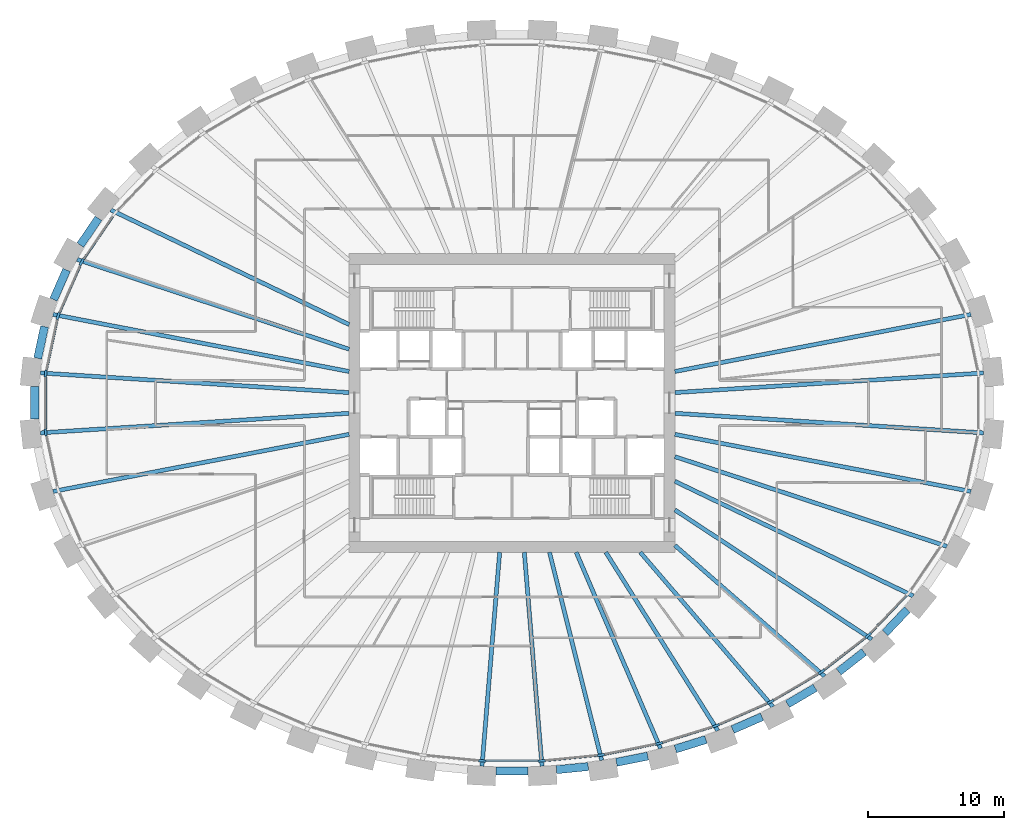
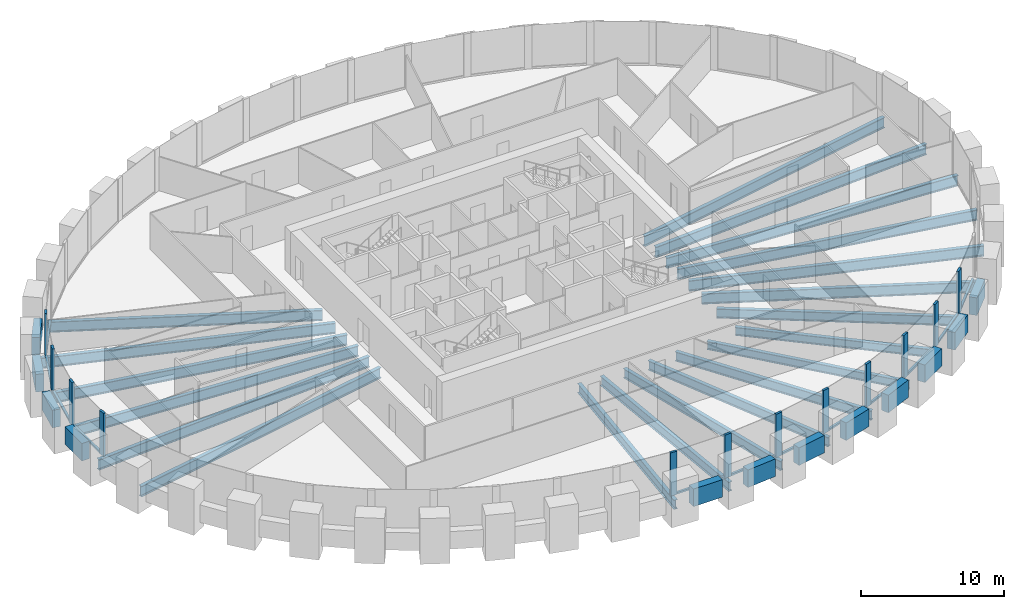
# One storey, part 2 of 11: 32 beams, 24 members, 1 element without a shape of its own.
"""IFC4 building model written with IfcOpenShell, lengths in metres."""

from ifc_helpers import new_model, si_unit, direction, frame, origin, origin_2d, place, context, subcontext, project, spatial, rectangle, i_section, extrude, source, transform, mapped, material, material_profile, profile_set, type_object, element, aggregate, save


model = new_model("IFC4")

# Units and contexts
model_context = context("Model", 3, precision=1e-05, world=origin(), true_north=direction((0.0, 1.0)))
body_context = subcontext(model_context, "Body", "Model", "MODEL_VIEW")
ifc_project = project(units=[si_unit("LENGTHUNIT", "METRE"), si_unit("AREAUNIT", "SQUARE_METRE"), si_unit("VOLUMEUNIT", "CUBIC_METRE"), si_unit("PLANEANGLEUNIT", "RADIAN"), si_unit("MASSUNIT", "GRAM", prefix="KILO")], contexts=[model_context])

# Site, building, storey
site_placement = place(None, origin())
site = spatial("IfcSite", under=ifc_project, at=site_placement, CompositionType="ELEMENT")
building_placement = place(site_placement, origin())
building = spatial("IfcBuilding", under=site, at=building_placement, Name="Embergate Tower", CompositionType="ELEMENT")
storey_placement = place(building_placement, frame((0.0, 0.0, 211.199951171875)))
storey = spatial("IfcBuildingStorey", under=building, at=storey_placement, Name="L48", CompositionType="ELEMENT", Elevation=211.199951171875)

# Beams
ifc_material_1 = material(Name="Concrete C60", Category="concrete")
ifc_material_profile_1 = material_profile(ifc_material_1, rectangle(XDim=0.60009765625, YDim=1.5, at=origin_2d()), Name="RC 600x1500")
ifc_profile_set_1 = profile_set([ifc_material_profile_1], Name="Concrete C60")
beam_type_1 = type_object("IfcBeamType", Name="Spandrel beam RC 600x1500 C60", PredefinedType="BEAM", material=ifc_profile_set_1)
shared_shape_1 = source(origin(), body_context, "Body", "SweptSolid", [
    extrude(rectangle(XDim=0.60009765625, YDim=1.5, at=origin_2d()), origin(), (0.0, 0.0, 1.0), 2.3896484375),
])
beam_1_placement = place(storey_placement, frame((-34.43603515625, 5.62109375, 0.0), z_axis=(-0.21045693854, -0.977603128586, 0.0), x_axis=(0.977603128586, -0.21045693854, 0.0)))
element("IfcBeam", 1, at=beam_1_placement, inside=storey, type_object=beam_type_1, Name="SPN-L48-20", PredefinedType="BEAM", context=body_context, shape_type="MappedRepresentation", body=[
    mapped(shared_shape_1, transform((0.0, 0.0, 0.0))),
])
shared_shape_2 = source(origin(), body_context, "Body", "SweptSolid", [
    extrude(rectangle(XDim=0.60009765625, YDim=1.5, at=origin_2d()), origin(), (0.0, 0.0, 1.0), 2.3837890625),
])
beam_2_placement = place(storey_placement, frame((-32.81298828125, 9.7958984375, 0.0), z_axis=(-0.401876968148, -0.915693672836, 0.0), x_axis=(0.915693672836, -0.401876968148, 0.0)))
element("IfcBeam", 2, at=beam_2_placement, inside=storey, type_object=beam_type_1, Name="SPN-L48-19", PredefinedType="BEAM", context=body_context, shape_type="MappedRepresentation", body=[
    mapped(shared_shape_2, transform((0.0, 0.0, 0.0))),
])
shared_shape_3 = source(origin(), body_context, "Body", "SweptSolid", [
    extrude(rectangle(XDim=0.60009765625, YDim=1.5, at=origin_2d()), origin(), (0.0, 0.0, 1.0), 2.379150390625),
])
beam_3_placement = place(storey_placement, frame((-30.458984375, 13.60009765625, 0.0), z_axis=(-0.562467199194, -0.826819599327, 0.0), x_axis=(0.826819599327, -0.562467199194, 0.0)))
element("IfcBeam", 3, at=beam_3_placement, inside=storey, type_object=beam_type_1, Name="SPN-L48-18", PredefinedType="BEAM", context=body_context, shape_type="MappedRepresentation", body=[
    mapped(shared_shape_3, transform((0.0, 0.0, 0.0))),
])
shared_shape_4 = source(origin(), body_context, "Body", "SweptSolid", [
    extrude(rectangle(XDim=0.60009765625, YDim=1.5, at=origin_2d()), origin(), (0.0, 0.0, 1.0), 2.370849609375),
])
beam_4_placement = place(storey_placement, frame((27.488037109375, -16.93701171875, 0.0), z_axis=(0.690017631866, 0.723792558482, 0.0), x_axis=(-0.723792558482, 0.690017631866, 0.0)))
element("IfcBeam", 4, at=beam_4_placement, inside=storey, type_object=beam_type_1, Name="SPN-L48-39", PredefinedType="BEAM", context=body_context, shape_type="MappedRepresentation", body=[
    mapped(shared_shape_4, transform((0.0, 0.0, 0.0))),
])
shared_shape_5 = source(origin(), body_context, "Body", "SweptSolid", [
    extrude(rectangle(XDim=0.60009765625, YDim=1.5, at=origin_2d()), origin(), (0.0, 0.0, 1.0), 2.366943359375),
])
beam_5_placement = place(storey_placement, frame((24.06591796875, -19.802001953125, 0.0), z_axis=(0.788379233054, 0.615189552, 0.0), x_axis=(-0.615189552, 0.788379233054, 0.0)))
element("IfcBeam", 5, at=beam_5_placement, inside=storey, type_object=beam_type_1, Name="SPN-L48-38", PredefinedType="BEAM", context=body_context, shape_type="MappedRepresentation", body=[
    mapped(shared_shape_5, transform((0.0, 0.0, 0.0))),
])
shared_shape_6 = source(origin(), body_context, "Body", "SweptSolid", [
    extrude(rectangle(XDim=0.60009765625, YDim=1.5, at=origin_2d()), origin(), (0.0, 0.0, 1.0), 2.36279296875),
])
beam_6_placement = place(storey_placement, frame((20.2919921875, -22.179931640625, 0.0), z_axis=(0.862170527893, 0.50661818052, 0.0), x_axis=(-0.50661818052, 0.862170527893, 0.0)))
element("IfcBeam", 6, at=beam_6_placement, inside=storey, type_object=beam_type_1, Name="SPN-L48-37", PredefinedType="BEAM", context=body_context, shape_type="MappedRepresentation", body=[
    mapped(shared_shape_6, transform((0.0, 0.0, 0.0))),
])
shared_shape_7 = source(origin(), body_context, "Body", "SweptSolid", [
    extrude(rectangle(XDim=0.60009765625, YDim=1.5, at=origin_2d()), origin(), (0.0, 0.0, 1.0), 2.357421875),
])
beam_7_placement = place(storey_placement, frame((16.2529296875, -24.06103515625, 0.0), z_axis=(0.91630938503, 0.400471111201, 0.0), x_axis=(-0.400471111201, 0.91630938503, 0.0)))
element("IfcBeam", 7, at=beam_7_placement, inside=storey, type_object=beam_type_1, Name="SPN-L48-36", PredefinedType="BEAM", context=body_context, shape_type="MappedRepresentation", body=[
    mapped(shared_shape_7, transform((0.0, 0.0, 0.0))),
])
shared_shape_8 = source(origin(), body_context, "Body", "SweptSolid", [
    extrude(rectangle(XDim=0.60009765625, YDim=1.5, at=origin_2d()), origin(), (0.0, 0.0, 1.0), 2.3564453125),
])
beam_8_placement = place(storey_placement, frame((12.035888671875, -25.49609375, 0.0), z_axis=(0.95483326256, 0.297142122073, 0.0), x_axis=(-0.297142122073, 0.95483326256, 0.0)))
element("IfcBeam", 8, at=beam_8_placement, inside=storey, type_object=beam_type_1, Name="SPN-L48-35", PredefinedType="BEAM", context=body_context, shape_type="MappedRepresentation", body=[
    mapped(shared_shape_8, transform((0.0, 0.0, 0.0))),
])
shared_shape_9 = source(origin(), body_context, "Body", "SweptSolid", [
    extrude(rectangle(XDim=0.60009765625, YDim=1.5, at=origin_2d()), origin(), (0.0, 0.0, 1.0), 2.353515625),
])
beam_9_placement = place(storey_placement, frame((7.693115234375, -26.47802734375, 0.0), z_axis=(0.980552738639, 0.196255768698, 0.0), x_axis=(-0.196255768698, 0.980552738639, 0.0)))
element("IfcBeam", 9, at=beam_9_placement, inside=storey, type_object=beam_type_1, Name="SPN-L48-34", PredefinedType="BEAM", context=body_context, shape_type="MappedRepresentation", body=[
    mapped(shared_shape_9, transform((0.0, 0.0, 0.0))),
])
shared_shape_10 = source(origin(), body_context, "Body", "SweptSolid", [
    extrude(rectangle(XDim=0.60009765625, YDim=1.5, at=origin_2d()), origin(), (0.0, 0.0, 1.0), 2.353271484375),
])
beam_10_placement = place(storey_placement, frame((3.27392578125, -27.01806640625, 0.0), z_axis=(0.99521330308, 0.097726564318, 0.0), x_axis=(-0.097726564318, 0.99521330308, 0.0)))
element("IfcBeam", 10, at=beam_10_placement, inside=storey, type_object=beam_type_1, Name="SPN-L48-33", PredefinedType="BEAM", context=body_context, shape_type="MappedRepresentation", body=[
    mapped(shared_shape_10, transform((0.0, 0.0, 0.0))),
])
shared_shape_11 = source(origin(), body_context, "Body", "SweptSolid", [
    extrude(rectangle(XDim=0.60009765625, YDim=1.5, at=origin_2d()), origin(), (0.0, 0.0, 1.0), 2.35205078125),
])
beam_11_placement = place(storey_placement, frame((-1.176025390625, -27.12109375, 0.0), z_axis=(1.0, 0.0, 0.0), x_axis=(0.0, 1.0, 0.0)))
element("IfcBeam", 11, at=beam_11_placement, inside=storey, type_object=beam_type_1, Name="SPN-L48-32", PredefinedType="BEAM", context=body_context, shape_type="MappedRepresentation", body=[
    mapped(shared_shape_11, transform((0.0, 0.0, 0.0))),
])
shared_shape_12 = source(origin(), body_context, "Body", "SweptSolid", [
    extrude(rectangle(XDim=0.60009765625, YDim=1.5, at=origin_2d()), origin(), (0.0, 0.0, 1.0), 2.39208984375),
])
beam_12_placement = place(storey_placement, frame((-35.160888671875, 1.196044921875, 0.0), z_axis=(0.0, -1.0, 0.0), x_axis=(1.0, 0.0, 0.0)))
element("IfcBeam", 12, at=beam_12_placement, inside=storey, type_object=beam_type_1, Name="SPN-L48-21", PredefinedType="BEAM", context=body_context, shape_type="MappedRepresentation", body=[
    mapped(shared_shape_12, transform((0.0, 0.0, 0.0))),
])
ifc_material_2 = material(Name="Steel Q355B", Category="steel")
ifc_material_profile_2 = material_profile(ifc_material_2, i_section(OverallWidth=0.300048828125, OverallDepth=0.89990234375, WebThickness=0.01611328125, FlangeThickness=0.028076171875, FilletRadius=0.028076171875, at=origin_2d()), Name="HN 900x300x16x28")
ifc_profile_set_2 = profile_set([ifc_material_profile_2], Name="Steel Q355 grade B")
beam_type_2 = type_object("IfcBeamType", Name="Radial girder HN 900x300x16x28", PredefinedType="BEAM", material=ifc_profile_set_2)
shared_shape_13 = source(origin(), body_context, "Body", "SweptSolid", [
    extrude(i_section(OverallWidth=0.300048828125, OverallDepth=0.89990234375, WebThickness=0.01611328125, FlangeThickness=0.028076171875, FilletRadius=0.028076171875, at=origin_2d()), origin(), (0.0, 0.0, 1.0), 22.786865234375),
])
for number, where, z_axis, x_axis, name in (
    (13, (34.740966796875, 2.20703125, -0.64990234375), (-0.997987128135, -0.063416812258, 0.0), (0.063416812258, -0.997987128135, 0.0), "GIR-L48-00"),
    (14, (-34.740966796875, 2.20703125, -0.64990234375), (0.997987128135, -0.063416812258, 0.0), (0.063416812258, 0.997987128135, 0.0), "GIR-L48-21"),
    (15, (-34.740966796875, -2.20703125, -0.64990234375), (0.997987128135, 0.063416812258, 0.0), (-0.063416812258, 0.997987128135, 0.0), "GIR-L48-22"),
    (16, (34.740966796875, -2.20703125, -0.64990234375), (-0.997987128135, 0.063416812258, 0.0), (-0.063416812258, -0.997987128135, 0.0), "GIR-L48-43"),
):
    element("IfcBeam", number, at=place(storey_placement, frame(where, z_axis=z_axis, x_axis=x_axis)), inside=storey, type_object=beam_type_2, Name=name, PredefinedType="BEAM", context=body_context, shape_type="MappedRepresentation", body=[
        mapped(shared_shape_13, transform((0.0, 0.0, 0.0))),
    ])
shared_shape_14 = source(origin(), body_context, "Body", "SweptSolid", [
    extrude(i_section(OverallWidth=0.300048828125, OverallDepth=0.89990234375, WebThickness=0.01611328125, FlangeThickness=0.028076171875, FilletRadius=0.028076171875, at=origin_2d()), origin(), (0.0, 0.0, 1.0), 22.214111328125),
])
for number, where, z_axis, x_axis, name in (
    (17, (33.81201171875, 6.52197265625, -0.64990234375), (-0.981902666563, -0.189386254508, 0.0), (0.189386254508, -0.981902666563, 0.0), "GIR-L48-01"),
    (18, (-33.81201171875, 6.52197265625, -0.64990234375), (0.981902666563, -0.189386254508, 0.0), (0.189386254508, 0.981902666563, 0.0), "GIR-L48-20"),
    (19, (-33.81201171875, -6.52197265625, -0.64990234375), (0.981902666563, 0.189386254508, 0.0), (-0.189386254508, 0.981902666563, 0.0), "GIR-L48-23"),
    (20, (33.81201171875, -6.52197265625, -0.64990234375), (-0.981902666563, 0.189386254508, 0.0), (-0.189386254508, -0.981902666563, 0.0), "GIR-L48-42"),
):
    element("IfcBeam", number, at=place(storey_placement, frame(where, z_axis=z_axis, x_axis=x_axis)), inside=storey, type_object=beam_type_2, Name=name, PredefinedType="BEAM", context=body_context, shape_type="MappedRepresentation", body=[
        mapped(shared_shape_14, transform((0.0, 0.0, 0.0))),
    ])
shared_shape_15 = source(origin(), body_context, "Body", "SweptSolid", [
    extrude(i_section(OverallWidth=0.300048828125, OverallDepth=0.89990234375, WebThickness=0.01611328125, FlangeThickness=0.028076171875, FilletRadius=0.028076171875, at=origin_2d()), origin(), (0.0, 0.0, 1.0), 21.100341796875),
])
for number, where, z_axis, x_axis, name in (
    (21, (-32.0390625, 10.56591796875, -0.64990234375), (0.949698867802, -0.313164590106, 0.0), (0.313164590106, 0.949698867802, 0.0), "GIR-L48-19"),
    (22, (32.0390625, -10.56591796875, -0.64990234375), (-0.949698867802, 0.313164590106, 0.0), (-0.313164590106, -0.949698867802, 0.0), "GIR-L48-41"),
):
    element("IfcBeam", number, at=place(storey_placement, frame(where, z_axis=z_axis, x_axis=x_axis)), inside=storey, type_object=beam_type_2, Name=name, PredefinedType="BEAM", context=body_context, shape_type="MappedRepresentation", body=[
        mapped(shared_shape_15, transform((0.0, 0.0, 0.0))),
    ])
shared_shape_16 = source(origin(), body_context, "Body", "SweptSolid", [
    extrude(i_section(OverallWidth=0.300048828125, OverallDepth=0.89990234375, WebThickness=0.01611328125, FlangeThickness=0.028076171875, FilletRadius=0.028076171875, at=origin_2d()), origin(), (0.0, 0.0, 1.0), 19.480712890625),
])
for number, where, z_axis, x_axis, name in (
    (23, (-29.554931640625, 14.218017578125, -0.64990234375), (0.901148212086, -0.433511130023, 0.0), (0.433511130023, 0.901148212086, 0.0), "GIR-L48-18"),
    (24, (29.554931640625, -14.218017578125, -0.64990234375), (-0.901148212086, 0.433511130023, 0.0), (-0.433511130023, -0.901148212086, 0.0), "GIR-L48-40"),
):
    element("IfcBeam", number, at=place(storey_placement, frame(where, z_axis=z_axis, x_axis=x_axis)), inside=storey, type_object=beam_type_2, Name=name, PredefinedType="BEAM", context=body_context, shape_type="MappedRepresentation", body=[
        mapped(shared_shape_16, transform((0.0, 0.0, 0.0))),
    ])
ifc_material_profile_3 = material_profile(ifc_material_2, i_section(OverallWidth=0.300048828125, OverallDepth=0.800048828125, WebThickness=0.013916015625, FlangeThickness=0.02587890625, FilletRadius=0.028076171875, at=origin_2d()), Name="HN 800x300x14x26")
ifc_profile_set_3 = profile_set([ifc_material_profile_3], Name="Steel Q355 grade B")
beam_type_3 = type_object("IfcBeamType", Name="Radial girder HN 800x300x14x26", PredefinedType="BEAM", material=ifc_profile_set_3)
shared_shape_17 = source(origin(), body_context, "Body", "SweptSolid", [
    extrude(i_section(OverallWidth=0.300048828125, OverallDepth=0.800048828125, WebThickness=0.013916015625, FlangeThickness=0.02587890625, FilletRadius=0.028076171875, at=origin_2d()), origin(), (0.0, 0.0, 1.0), 17.3583984375),
])
beam_13_placement = place(storey_placement, frame((26.507080078125, -17.416015625, -0.599853515625), z_axis=(-0.835738306524, 0.549127929547, 0.0), x_axis=(-0.549127929547, -0.835738306524, 0.0)))
element("IfcBeam", 25, at=beam_13_placement, inside=storey, type_object=beam_type_3, Name="GIR-L48-39", PredefinedType="BEAM", context=body_context, shape_type="MappedRepresentation", body=[
    mapped(shared_shape_17, transform((0.0, 0.0, 0.0))),
])
ifc_material_profile_4 = material_profile(ifc_material_2, i_section(OverallWidth=0.300048828125, OverallDepth=0.699951171875, WebThickness=0.012939453125, FlangeThickness=0.02392578125, FilletRadius=0.01806640625, at=origin_2d()), Name="HN 700x300x13x24")
ifc_profile_set_4 = profile_set([ifc_material_profile_4], Name="Steel Q355 grade B")
beam_type_4 = type_object("IfcBeamType", Name="Radial girder HN 700x300x13x24", PredefinedType="BEAM", material=ifc_profile_set_4)
shared_shape_18 = source(origin(), body_context, "Body", "SweptSolid", [
    extrude(i_section(OverallWidth=0.300048828125, OverallDepth=0.699951171875, WebThickness=0.012939453125, FlangeThickness=0.02392578125, FilletRadius=0.01806640625, at=origin_2d()), origin(), (0.0, 0.0, 1.0), 14.643798828125),
])
beam_14_placement = place(storey_placement, frame((23.02294921875, -20.134033203125, -0.550048828125), z_axis=(-0.752743981282, 0.658313374195, 0.0), x_axis=(-0.658313374195, -0.752743981282, 0.0)))
element("IfcBeam", 26, at=beam_14_placement, inside=storey, type_object=beam_type_4, Name="GIR-L48-38", PredefinedType="BEAM", context=body_context, shape_type="MappedRepresentation", body=[
    mapped(shared_shape_18, transform((0.0, 0.0, 0.0))),
])
shared_shape_19 = source(origin(), body_context, "Body", "SweptSolid", [
    extrude(i_section(OverallWidth=0.300048828125, OverallDepth=0.699951171875, WebThickness=0.012939453125, FlangeThickness=0.02392578125, FilletRadius=0.01806640625, at=origin_2d()), origin(), (0.0, 0.0, 1.0), 14.991943359375),
])
beam_15_placement = place(storey_placement, frame((19.212890625, -22.3740234375, -0.550048828125), z_axis=(-0.651471048315, 0.758673495785, 0.0), x_axis=(-0.758673495785, -0.651471048315, 0.0)))
element("IfcBeam", 27, at=beam_15_placement, inside=storey, type_object=beam_type_4, Name="GIR-L48-37", PredefinedType="BEAM", context=body_context, shape_type="MappedRepresentation", body=[
    mapped(shared_shape_19, transform((0.0, 0.0, 0.0))),
])
shared_shape_20 = source(origin(), body_context, "Body", "SweptSolid", [
    extrude(i_section(OverallWidth=0.300048828125, OverallDepth=0.800048828125, WebThickness=0.013916015625, FlangeThickness=0.02587890625, FilletRadius=0.028076171875, at=origin_2d()), origin(), (0.0, 0.0, 1.0), 15.522216796875),
])
beam_16_placement = place(storey_placement, frame((15.1640625, -24.14501953125, -0.599853515625), z_axis=(-0.531827158809, 0.846852922976, 0.0), x_axis=(-0.846852922976, -0.531827158809, 0.0)))
element("IfcBeam", 28, at=beam_16_placement, inside=storey, type_object=beam_type_3, Name="GIR-L48-36", PredefinedType="BEAM", context=body_context, shape_type="MappedRepresentation", body=[
    mapped(shared_shape_20, transform((0.0, 0.0, 0.0))),
])
shared_shape_21 = source(origin(), body_context, "Body", "SweptSolid", [
    extrude(i_section(OverallWidth=0.300048828125, OverallDepth=0.800048828125, WebThickness=0.013916015625, FlangeThickness=0.02587890625, FilletRadius=0.028076171875, at=origin_2d()), origin(), (0.0, 0.0, 1.0), 15.739013671875),
])
beam_17_placement = place(storey_placement, frame((10.943115234375, -25.4599609375, -0.599853515625), z_axis=(-0.394883218824, 0.918731322799, 0.0), x_axis=(-0.918731322799, -0.394883218824, 0.0)))
element("IfcBeam", 29, at=beam_17_placement, inside=storey, type_object=beam_type_3, Name="GIR-L48-35", PredefinedType="BEAM", context=body_context, shape_type="MappedRepresentation", body=[
    mapped(shared_shape_21, transform((0.0, 0.0, 0.0))),
])
shared_shape_22 = source(origin(), body_context, "Body", "SweptSolid", [
    extrude(i_section(OverallWidth=0.300048828125, OverallDepth=0.800048828125, WebThickness=0.013916015625, FlangeThickness=0.02587890625, FilletRadius=0.028076171875, at=origin_2d()), origin(), (0.0, 0.0, 1.0), 15.8046875),
])
beam_18_placement = place(storey_placement, frame((6.60888671875, -26.3291015625, -0.599853515625), z_axis=(-0.243465990326, 0.969909434718, 0.0), x_axis=(-0.969909434718, -0.243465990326, 0.0)))
element("IfcBeam", 30, at=beam_18_placement, inside=storey, type_object=beam_type_3, Name="GIR-L48-34", PredefinedType="BEAM", context=body_context, shape_type="MappedRepresentation", body=[
    mapped(shared_shape_22, transform((0.0, 0.0, 0.0))),
])
shared_shape_23 = source(origin(), body_context, "Body", "SweptSolid", [
    extrude(i_section(OverallWidth=0.300048828125, OverallDepth=0.800048828125, WebThickness=0.013916015625, FlangeThickness=0.02587890625, FilletRadius=0.028076171875, at=origin_2d()), origin(), (0.0, 0.0, 1.0), 15.814697265625),
])
for number, where, z_axis, x_axis, name in (
    (31, (-2.2099609375, -26.760986328125, -0.599853515625), (0.082328727809, 0.99660522805, 0.0), (-0.99660522805, 0.082328727809, 0.0), "GIR-L48-32"),
    (32, (2.2099609375, -26.760986328125, -0.599853515625), (-0.082328727809, 0.99660522805, 0.0), (-0.99660522805, -0.082328727809, 0.0), "GIR-L48-33"),
):
    element("IfcBeam", number, at=place(storey_placement, frame(where, z_axis=z_axis, x_axis=x_axis)), inside=storey, type_object=beam_type_3, Name=name, PredefinedType="BEAM", context=body_context, shape_type="MappedRepresentation", body=[
        mapped(shared_shape_23, transform((0.0, 0.0, 0.0))),
    ])

# Curtain wall, members
ifc_material_3 = material(Name="Aluminium and glass", Category="aluminium")
curtain_wall_type = type_object("IfcCurtainWallType", Name="Recessed office glazing", PredefinedType="NOTDEFINED", material=ifc_material_3)
curtain_wall_placement = place(storey_placement, origin())
curtain_wall = element("IfcCurtainWall", 33, at=curtain_wall_placement, inside=storey, type_object=curtain_wall_type, Name="Recessed office glazing ring", ObjectType="RECESSED OFFICE GLAZING", PredefinedType="USERDEFINED")
ifc_material_4 = material(Name="Aluminium, thermally broken", Category="aluminium")
ifc_material_profile_5 = material_profile(ifc_material_4, rectangle(XDim=0.179931640625, YDim=0.52001953125, at=origin_2d()), Name="AL 520x180")
ifc_profile_set_5 = profile_set([ifc_material_profile_5], Name="Aluminium, thermally broken")
member_type_1 = type_object("IfcMemberType", Name="Office mullion", PredefinedType="MULLION", material=ifc_profile_set_5)
shared_shape_24 = source(origin(), body_context, "Body", "SweptSolid", [
    extrude(rectangle(XDim=0.179931640625, YDim=0.52001953125, at=origin_2d()), origin(), (0.0, 0.0, 1.0), 3.699951171875),
])
member_1_placement = place(storey_placement, frame((-31.697998046875, 10.376220703125, 0.0), z_axis=(0.0, 0.0, 1.0), x_axis=(0.875002740779, -0.484117964581, 0.0)))
member_1 = element("IfcMember", 34, at=member_1_placement, type_object=member_type_1, Name="CW mullion 20", PredefinedType="MULLION", context=body_context, shape_type="MappedRepresentation", body=[
    mapped(shared_shape_24, transform((0.0, 0.0, 0.0))),
])
member_2_placement = place(storey_placement, frame((-33.44140625, 6.401611328125, 0.0), z_axis=(0.0, 0.0, 1.0), x_axis=(0.951497797992, -0.307655554826, 0.0)))
member_2 = element("IfcMember", 35, at=member_2_placement, type_object=member_type_1, Name="CW mullion 21", PredefinedType="MULLION", context=body_context, shape_type="MappedRepresentation", body=[
    mapped(shared_shape_24, transform((0.0, 0.0, 0.0))),
])
member_3_placement = place(storey_placement, frame((-34.35302734375, 2.165283203125, 0.0), z_axis=(0.0, 0.0, 1.0), x_axis=(0.994384954736, -0.105823257345, 0.0)))
member_3 = element("IfcMember", 36, at=member_3_placement, type_object=member_type_1, Name="CW mullion 22", PredefinedType="MULLION", context=body_context, shape_type="MappedRepresentation", body=[
    mapped(shared_shape_24, transform((0.0, 0.0, 0.0))),
])
member_4_placement = place(storey_placement, frame((-34.35302734375, -2.165283203125, 0.0), z_axis=(0.0, 0.0, 1.0), x_axis=(0.994384954736, 0.105823257345, 0.0)))
member_4 = element("IfcMember", 37, at=member_4_placement, type_object=member_type_1, Name="CW mullion 23", PredefinedType="MULLION", context=body_context, shape_type="MappedRepresentation", body=[
    mapped(shared_shape_24, transform((0.0, 0.0, 0.0))),
])
member_5_placement = place(storey_placement, frame((-2.191162109375, -26.37158203125, 0.0), z_axis=(0.0, 0.0, 1.0), x_axis=(0.048971796621, 0.998800161762, 0.0)))
member_5 = element("IfcMember", 38, at=member_5_placement, type_object=member_type_1, Name="CW mullion 33", PredefinedType="MULLION", context=body_context, shape_type="MappedRepresentation", body=[
    mapped(shared_shape_24, transform((0.0, 0.0, 0.0))),
])
member_6_placement = place(storey_placement, frame((2.191162109375, -26.37158203125, 0.0), z_axis=(0.0, 0.0, 1.0), x_axis=(-0.048971796621, 0.998800161762, 0.0)))
member_6 = element("IfcMember", 39, at=member_6_placement, type_object=member_type_1, Name="CW mullion 34", PredefinedType="MULLION", context=body_context, shape_type="MappedRepresentation", body=[
    mapped(shared_shape_24, transform((0.0, 0.0, 0.0))),
])
member_7_placement = place(storey_placement, frame((6.55224609375, -25.94287109375, 0.0), z_axis=(0.0, 0.0, 1.0), x_axis=(-0.14741410908, 0.98907486089, 0.0)))
member_7 = element("IfcMember", 40, at=member_7_placement, type_object=member_type_1, Name="CW mullion 35", PredefinedType="MULLION", context=body_context, shape_type="MappedRepresentation", body=[
    mapped(shared_shape_24, transform((0.0, 0.0, 0.0))),
])
member_8_placement = place(storey_placement, frame((10.847412109375, -25.081298828125, 0.0), z_axis=(0.0, 0.0, 1.0), x_axis=(-0.247315263593, 0.968935065107, 0.0)))
member_8 = element("IfcMember", 41, at=member_8_placement, type_object=member_type_1, Name="CW mullion 36", PredefinedType="MULLION", context=body_context, shape_type="MappedRepresentation", body=[
    mapped(shared_shape_24, transform((0.0, 0.0, 0.0))),
])
member_9_placement = place(storey_placement, frame((15.02783203125, -23.779296875, 0.0), z_axis=(0.0, 0.0, 1.0), x_axis=(-0.34950595337, 0.936934143128, 0.0)))
member_9 = element("IfcMember", 42, at=member_9_placement, type_object=member_type_1, Name="CW mullion 37", PredefinedType="MULLION", context=body_context, shape_type="MappedRepresentation", body=[
    mapped(shared_shape_24, transform((0.0, 0.0, 0.0))),
])
member_10_placement = place(storey_placement, frame((19.03662109375, -22.026611328125, 0.0), z_axis=(0.0, 0.0, 1.0), x_axis=(-0.454514489796, 0.890739343784, 0.0)))
member_10 = element("IfcMember", 43, at=member_10_placement, type_object=member_type_1, Name="CW mullion 38", PredefinedType="MULLION", context=body_context, shape_type="MappedRepresentation", body=[
    mapped(shared_shape_24, transform((0.0, 0.0, 0.0))),
])
member_11_placement = place(storey_placement, frame((22.804443359375, -19.811279296875, 0.0), z_axis=(0.0, 0.0, 1.0), x_axis=(-0.562220505278, 0.826987365953, 0.0)))
member_11 = element("IfcMember", 44, at=member_11_placement, type_object=member_type_1, Name="CW mullion 39", PredefinedType="MULLION", context=body_context, shape_type="MappedRepresentation", body=[
    mapped(shared_shape_24, transform((0.0, 0.0, 0.0))),
])
member_12_placement = place(storey_placement, frame((26.245361328125, -17.125732421875, 0.0), z_axis=(0.0, 0.0, 1.0), x_axis=(-0.671230415135, 0.741248763775, 0.0)))
member_12 = element("IfcMember", 45, at=member_12_placement, type_object=member_type_1, Name="CW mullion 40", PredefinedType="MULLION", context=body_context, shape_type="MappedRepresentation", body=[
    mapped(shared_shape_24, transform((0.0, 0.0, 0.0))),
])
ifc_material_profile_6 = material_profile(ifc_material_4, rectangle(XDim=0.179931640625, YDim=0.14990234375, at=origin_2d()), Name="AL 150x180")
ifc_profile_set_6 = profile_set([ifc_material_profile_6], Name="Aluminium, thermally broken")
member_type_2 = type_object("IfcMemberType", Name="Office sill transom", PredefinedType="USERDEFINED", material=ifc_profile_set_6)
shared_shape_25 = source(origin(), body_context, "Body", "SweptSolid", [
    extrude(rectangle(XDim=0.179931640625, YDim=0.14990234375, at=origin_2d()), origin(), (0.0, 0.0, 1.0), 3.8134765625),
])
member_13_placement = place(storey_placement, frame((-33.49609375, 6.1474609375, 0.074951171875), z_axis=(-0.210377227089, -0.977620285347, 0.0), x_axis=(0.977620285347, -0.210377227089, 0.0)))
member_13 = element("IfcMember", 46, at=member_13_placement, type_object=member_type_2, Name="CW transom 21.1", ObjectType="TRANSOM", PredefinedType="USERDEFINED", context=body_context, shape_type="MappedRepresentation", body=[
    mapped(shared_shape_25, transform((0.0, 0.0, 0.0))),
])
shared_shape_26 = source(origin(), body_context, "Body", "SweptSolid", [
    extrude(rectangle(XDim=0.179931640625, YDim=0.14990234375, at=origin_2d()), origin(), (0.0, 0.0, 1.0), 3.8203125),
])
member_14_placement = place(storey_placement, frame((-31.802490234375, 10.13818359375, 0.074951171875), z_axis=(-0.401656793595, -0.915790270837, 0.0), x_axis=(0.915790270837, -0.401656793595, 0.0)))
member_14 = element("IfcMember", 47, at=member_14_placement, type_object=member_type_2, Name="CW transom 20.1", ObjectType="TRANSOM", PredefinedType="USERDEFINED", context=body_context, shape_type="MappedRepresentation", body=[
    mapped(shared_shape_26, transform((0.0, 0.0, 0.0))),
])
shared_shape_27 = source(origin(), body_context, "Body", "SweptSolid", [
    extrude(rectangle(XDim=0.179931640625, YDim=0.14990234375, at=origin_2d()), origin(), (0.0, 0.0, 1.0), 3.828857421875),
])
member_15_placement = place(storey_placement, frame((-29.398681640625, 13.75732421875, 0.074951171875), z_axis=(-0.56238675743, -0.826874316367, 0.0), x_axis=(0.826874316367, -0.56238675743, 0.0)))
member_15 = element("IfcMember", 48, at=member_15_placement, type_object=member_type_2, Name="CW transom 19.1", ObjectType="TRANSOM", PredefinedType="USERDEFINED", context=body_context, shape_type="MappedRepresentation", body=[
    mapped(shared_shape_27, transform((0.0, 0.0, 0.0))),
])
shared_shape_28 = source(origin(), body_context, "Body", "SweptSolid", [
    extrude(rectangle(XDim=0.179931640625, YDim=0.14990234375, at=origin_2d()), origin(), (0.0, 0.0, 1.0), 3.83740234375),
])
member_16_placement = place(storey_placement, frame((26.4248046875, -16.9375, 0.074951171875), z_axis=(0.690110982846, 0.723703552123, 0.0), x_axis=(-0.723703552123, 0.690110982846, 0.0)))
member_16 = element("IfcMember", 49, at=member_16_placement, type_object=member_type_2, Name="CW transom 40.1", ObjectType="TRANSOM", PredefinedType="USERDEFINED", context=body_context, shape_type="MappedRepresentation", body=[
    mapped(shared_shape_28, transform((0.0, 0.0, 0.0))),
])
shared_shape_29 = source(origin(), body_context, "Body", "SweptSolid", [
    extrude(rectangle(XDim=0.179931640625, YDim=0.14990234375, at=origin_2d()), origin(), (0.0, 0.0, 1.0), 3.8447265625),
])
member_17_placement = place(storey_placement, frame((23.009521484375, -19.6513671875, 0.074951171875), z_axis=(0.788284232177, 0.615311278379, 0.0), x_axis=(-0.615311278379, 0.788284232177, 0.0)))
member_17 = element("IfcMember", 50, at=member_17_placement, type_object=member_type_2, Name="CW transom 39.1", ObjectType="TRANSOM", PredefinedType="USERDEFINED", context=body_context, shape_type="MappedRepresentation", body=[
    mapped(shared_shape_29, transform((0.0, 0.0, 0.0))),
])
shared_shape_30 = source(origin(), body_context, "Body", "SweptSolid", [
    extrude(rectangle(XDim=0.179931640625, YDim=0.14990234375, at=origin_2d()), origin(), (0.0, 0.0, 1.0), 3.850830078125),
])
member_18_placement = place(storey_placement, frame((19.2607421875, -21.894775390625, 0.074951171875), z_axis=(0.862051539353, 0.506820622607, 0.0), x_axis=(-0.506820622607, 0.862051539353, 0.0)))
member_18 = element("IfcMember", 51, at=member_18_placement, type_object=member_type_2, Name="CW transom 38.1", ObjectType="TRANSOM", PredefinedType="USERDEFINED", context=body_context, shape_type="MappedRepresentation", body=[
    mapped(shared_shape_30, transform((0.0, 0.0, 0.0))),
])
shared_shape_31 = source(origin(), body_context, "Body", "SweptSolid", [
    extrude(rectangle(XDim=0.179931640625, YDim=0.14990234375, at=origin_2d()), origin(), (0.0, 0.0, 1.0), 3.855224609375),
])
member_19_placement = place(storey_placement, frame((15.26611328125, -23.67529296875, 0.074951171875), z_axis=(0.916221273565, 0.400672656749, 0.0), x_axis=(-0.400672656749, 0.916221273565, 0.0)))
member_19 = element("IfcMember", 52, at=member_19_placement, type_object=member_type_2, Name="CW transom 37.1", ObjectType="TRANSOM", PredefinedType="USERDEFINED", context=body_context, shape_type="MappedRepresentation", body=[
    mapped(shared_shape_31, transform((0.0, 0.0, 0.0))),
])
shared_shape_32 = source(origin(), body_context, "Body", "SweptSolid", [
    extrude(rectangle(XDim=0.179931640625, YDim=0.14990234375, at=origin_2d()), origin(), (0.0, 0.0, 1.0), 3.8583984375),
])
member_20_placement = place(storey_placement, frame((11.095703125, -25.004150390625, 0.074951171875), z_axis=(0.954755412544, 0.297392169061, 0.0), x_axis=(-0.297392169061, 0.954755412544, 0.0)))
member_20 = element("IfcMember", 53, at=member_20_placement, type_object=member_type_2, Name="CW transom 36.1", ObjectType="TRANSOM", PredefinedType="USERDEFINED", context=body_context, shape_type="MappedRepresentation", body=[
    mapped(shared_shape_32, transform((0.0, 0.0, 0.0))),
])
shared_shape_33 = source(origin(), body_context, "Body", "SweptSolid", [
    extrude(rectangle(XDim=0.179931640625, YDim=0.14990234375, at=origin_2d()), origin(), (0.0, 0.0, 1.0), 3.860595703125),
])
member_21_placement = place(storey_placement, frame((6.80712890625, -25.8916015625, 0.074951171875), z_axis=(0.980480823499, 0.196614736859, 0.0), x_axis=(-0.196614736859, 0.980480823499, 0.0)))
member_21 = element("IfcMember", 54, at=member_21_placement, type_object=member_type_2, Name="CW transom 35.1", ObjectType="TRANSOM", PredefinedType="USERDEFINED", context=body_context, shape_type="MappedRepresentation", body=[
    mapped(shared_shape_33, transform((0.0, 0.0, 0.0))),
])
shared_shape_34 = source(origin(), body_context, "Body", "SweptSolid", [
    extrude(rectangle(XDim=0.179931640625, YDim=0.14990234375, at=origin_2d()), origin(), (0.0, 0.0, 1.0), 3.862060546875),
])
member_22_placement = place(storey_placement, frame((2.449951171875, -26.34619140625, 0.074951171875), z_axis=(0.995200439085, 0.097857478225, 0.0), x_axis=(-0.097857478225, 0.995200439085, 0.0)))
member_22 = element("IfcMember", 55, at=member_22_placement, type_object=member_type_2, Name="CW transom 34.1", ObjectType="TRANSOM", PredefinedType="USERDEFINED", context=body_context, shape_type="MappedRepresentation", body=[
    mapped(shared_shape_34, transform((0.0, 0.0, 0.0))),
])
shared_shape_35 = source(origin(), body_context, "Body", "SweptSolid", [
    extrude(rectangle(XDim=0.179931640625, YDim=0.14990234375, at=origin_2d()), origin(), (0.0, 0.0, 1.0), 3.8623046875),
])
member_23_placement = place(storey_placement, frame((-1.93115234375, -26.37158203125, 0.074951171875), z_axis=(1.0, 0.0, 0.0), x_axis=(0.0, 1.0, 0.0)))
member_23 = element("IfcMember", 56, at=member_23_placement, type_object=member_type_2, Name="CW transom 33.1", ObjectType="TRANSOM", PredefinedType="USERDEFINED", context=body_context, shape_type="MappedRepresentation", body=[
    mapped(shared_shape_35, transform((0.0, 0.0, 0.0))),
])
shared_shape_36 = source(origin(), body_context, "Body", "SweptSolid", [
    extrude(rectangle(XDim=0.179931640625, YDim=0.14990234375, at=origin_2d()), origin(), (0.0, 0.0, 1.0), 3.810546875),
])
member_24_placement = place(storey_placement, frame((-34.35302734375, 1.9052734375, 0.074951171875), z_axis=(0.0, -1.0, 0.0), x_axis=(1.0, 0.0, 0.0)))
member_24 = element("IfcMember", 57, at=member_24_placement, type_object=member_type_2, Name="CW transom 22.1", ObjectType="TRANSOM", PredefinedType="USERDEFINED", context=body_context, shape_type="MappedRepresentation", body=[
    mapped(shared_shape_36, transform((0.0, 0.0, 0.0))),
])
aggregate(curtain_wall, [member_1, member_2, member_3, member_4, member_5, member_6, member_7, member_8, member_9, member_10, member_11, member_12, member_15, member_14, member_13, member_24, member_23, member_22, member_21, member_20, member_19, member_18, member_17, member_16])

save(model, "model.ifc")
